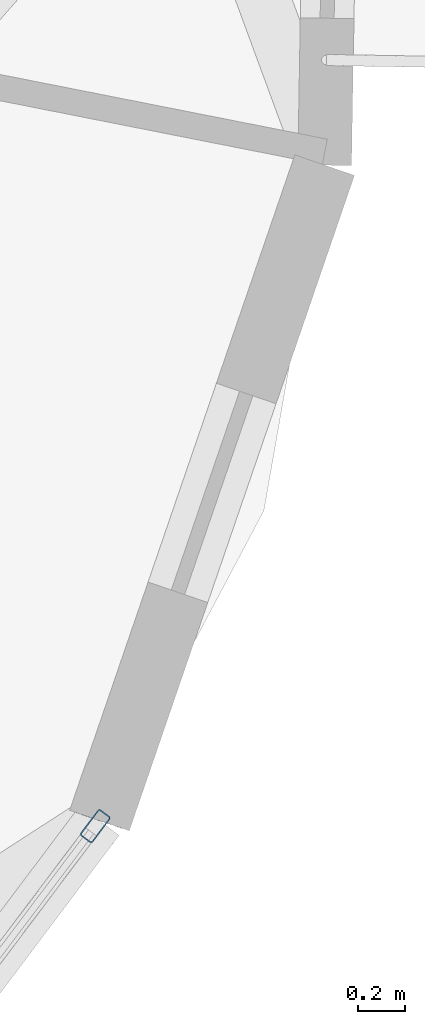
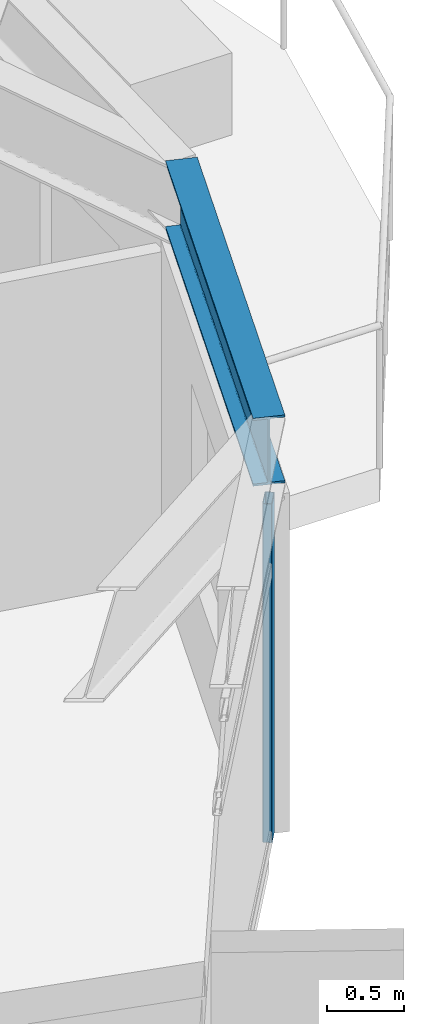
# One storey, part 12 of 29: 1 beam, 1 member, 1 element without a shape of its own.
"""IFC4 building model written with IfcOpenShell, lengths in metres."""

from ifc_helpers import new_model, si_unit, direction, frame, origin, origin_2d, place, context, subcontext, project, spatial, hollow_rectangle, i_section, extrude, material, layer, layer_set, material_profile, profile_set, type_object, element, aggregate, save


model = new_model("IFC4")

# Units and contexts
model_context = context("Model", 3, precision=1e-05, world=origin(), true_north=direction((0.0, 1.0)))
body_context = subcontext(model_context, "Body", "Model", "MODEL_VIEW")
ifc_project = project(units=[si_unit("LENGTHUNIT", "METRE"), si_unit("AREAUNIT", "SQUARE_METRE"), si_unit("VOLUMEUNIT", "CUBIC_METRE"), si_unit("PLANEANGLEUNIT", "RADIAN"), si_unit("MASSUNIT", "GRAM", prefix="KILO")], contexts=[model_context])

# Site, building, storey
site_placement = place(None, origin())
site = spatial("IfcSite", under=ifc_project, at=site_placement, CompositionType="ELEMENT")
building_placement = place(site_placement, origin())
building = spatial("IfcBuilding", under=site, at=building_placement, Name="Soratama Intermodal Tower", CompositionType="ELEMENT")
storey_placement = place(building_placement, frame((0.0, 0.0, 226.60009765625)))
storey = spatial("IfcBuildingStorey", under=building, at=storey_placement, Name="L57", CompositionType="ELEMENT", Elevation=226.60009765625)

# Beam
ifc_material_1 = material(Name="Structural steel ASTM A992 Grade 50", Category="steel")
ifc_material_profile_1 = material_profile(ifc_material_1, i_section(OverallWidth=0.2099609375, OverallDepth=0.537109375, WebThickness=0.010986328125, FlangeThickness=0.017333984375, FilletRadius=0.012939453125, at=origin_2d()), Name="W21X68")
ifc_profile_set_1 = profile_set([ifc_material_profile_1], Name="Structural steel ASTM A992 Grade 50")
beam_type = type_object("IfcBeamType", Name="BM-SPN-W21X68", PredefinedType="SPANDREL", material=ifc_profile_set_1)
beam_placement = place(storey_placement, frame((63.827880859375, 16.962890625, 3.031494140625), z_axis=(0.324927993455, 0.945738758363, 0.0), x_axis=(-0.945738758363, 0.324927993455, 0.0)))
element("IfcBeam", 1, at=beam_placement, inside=storey, type_object=beam_type, Name="BS-L57-CRN08", PredefinedType="SPANDREL", context=body_context, shape_type="SweptSolid", body=[
    extrude(i_section(OverallWidth=0.2099609375, OverallDepth=0.537109375, WebThickness=0.010986328125, FlangeThickness=0.017333984375, FilletRadius=0.012939453125, at=origin_2d()), origin(), (0.0, 0.0, 1.0), 2.967041015625),
])

# Curtain wall, member
ifc_material_2 = material(Name="Double-glazed aluminium curtain wall", Category="aluminium")
ifc_layer = layer(ifc_material_2, 0.159912109375)
ifc_layer_set = layer_set([ifc_layer], Name="Double-glazed aluminium curtain wall")
curtain_wall_type = type_object("IfcCurtainWallType", Name="CW-SYS-5", PredefinedType="NOTDEFINED", material=ifc_layer_set)
curtain_wall_placement = place(storey_placement, origin())
curtain_wall = element("IfcCurtainWall", 2, at=curtain_wall_placement, inside=storey, type_object=curtain_wall_type, Name="L57 Faceted Curtain Wall F08", PredefinedType="NOTDEFINED")
ifc_material_3 = material(Name="Anodised aluminium AA 6063-T6", Category="aluminium")
ifc_material_profile_2 = material_profile(ifc_material_3, hollow_rectangle(XDim=0.06494140625, YDim=0.139892578125, WallThickness=0.0048828125, InnerFilletRadius=0.0048828125, OuterFilletRadius=0.010009765625, at=origin_2d()), Name="CWM140X65X5")
ifc_profile_set_2 = profile_set([ifc_material_profile_2], Name="Anodised aluminium AA 6063-T6")
member_type = type_object("IfcMemberType", Name="MT-CWM-5", PredefinedType="MULLION", material=ifc_profile_set_2)
member_placement = place(storey_placement, frame((63.810302734375, 16.939208984375, 0.0), z_axis=(0.0, 0.0, 1.0), x_axis=(-0.799052254373, 0.601261585985, 0.0)))
member = element("IfcMember", 3, at=member_placement, type_object=member_type, Name="CW-5 mullion 3", PredefinedType="MULLION", context=body_context, shape_type="SweptSolid", body=[
    extrude(hollow_rectangle(XDim=0.06494140625, YDim=0.139892578125, WallThickness=0.0048828125, InnerFilletRadius=0.0048828125, OuterFilletRadius=0.010009765625, at=origin_2d()), origin(), (0.0, 0.0, 1.0), 2.678955078125),
])
aggregate(curtain_wall, [member])

save(model, "model.ifc")
